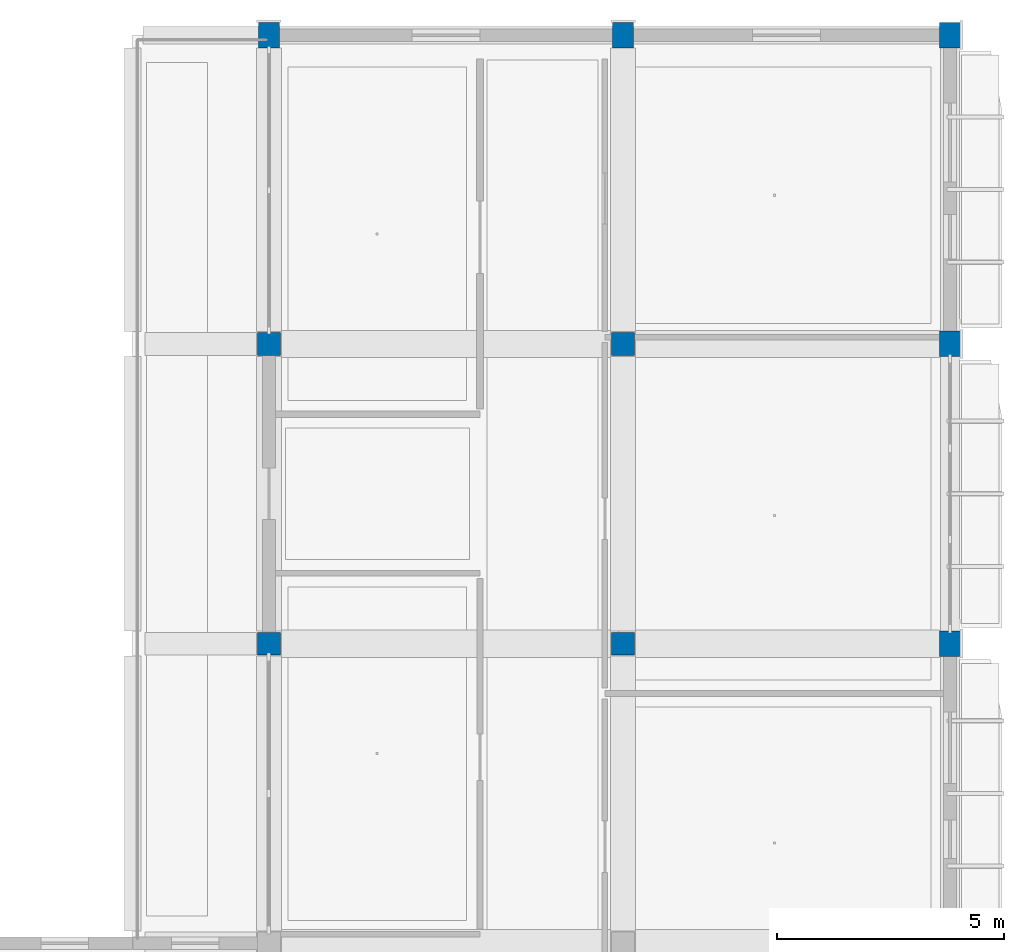
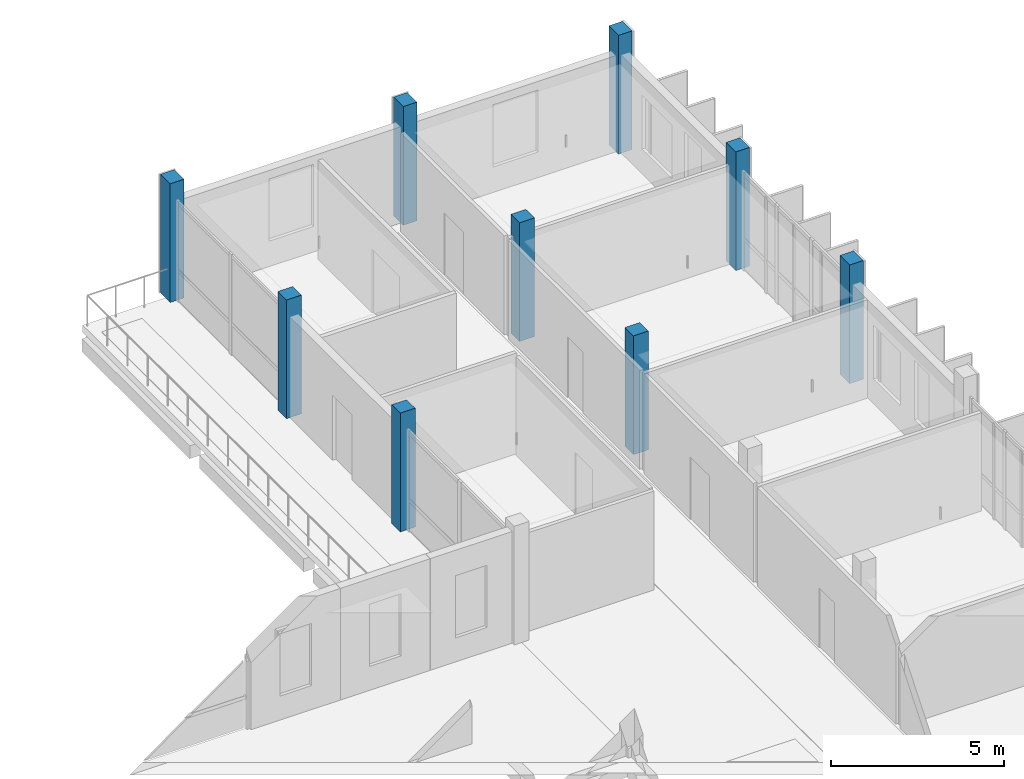
# One storey, part 6 of 85: 9 columns.
"""IFC4 building model written with IfcOpenShell, lengths in metres."""

from ifc_helpers import new_model, si_unit, derived_unit, direction, frame, origin, origin_2d, place, context, subcontext, project, spatial, rectangle, extrude, material, material_profile, profile_set, type_object, element, save


model = new_model("IFC4")

# Units and contexts
model_context = context("Model", 3, precision=1e-05, world=origin(), true_north=direction((0.0, 1.0)))
body_context = subcontext(model_context, "Body", "Model", "MODEL_VIEW")
ifc_project = project(units=[si_unit("LENGTHUNIT", "METRE"), si_unit("AREAUNIT", "SQUARE_METRE"), si_unit("VOLUMEUNIT", "CUBIC_METRE"), si_unit("PLANEANGLEUNIT", "RADIAN"), si_unit("MASSUNIT", "GRAM", prefix="KILO"), derived_unit("THERMALTRANSMITTANCEUNIT", [(si_unit("POWERUNIT", "WATT"), 1), (si_unit("LENGTHUNIT", "METRE"), -2), (si_unit("THERMODYNAMICTEMPERATUREUNIT", "KELVIN"), -1)])], contexts=[model_context])

# Site, building, storey
site_placement = place(None, origin())
site = spatial("IfcSite", under=ifc_project, at=site_placement, CompositionType="ELEMENT")
building_placement = place(site_placement, origin())
building = spatial("IfcBuilding", under=site, at=building_placement, Name="Braskholm Square Health Centre", CompositionType="ELEMENT")
storey_placement = place(building_placement, frame((0.0, 0.0, 9.300048828125)))
storey = spatial("IfcBuildingStorey", under=building, at=storey_placement, Name="L03", CompositionType="ELEMENT", Elevation=9.300048828125)

# Columns
ifc_material_1 = material(Name="Concrete C40/50 (f'c = 40 MPa)", Category="concrete")
ifc_material_profile_1 = material_profile(ifc_material_1, rectangle(XDim=0.5, YDim=0.5, at=origin_2d()), Name="RC-500X500")
ifc_profile_set_1 = profile_set([ifc_material_profile_1], Name="Concrete C40/50 (f'c = 40 MPa)")
column_type_1 = type_object("IfcColumnType", Name="ColInteriorUpper500", PredefinedType="COLUMN", material=ifc_profile_set_1)
for number, where, z_axis, x_axis, name in (
    (1, (148.800048828125, 100.39990234375, 0.0), (0.0, 0.0, 1.0), (1.0, 0.0, 0.0), "Column 20/Q L03"),
    (2, (148.800048828125, 107.0, 0.0), (0.0, 0.0, 1.0), (1.0, 0.0, 0.0), "Column 20/R L03"),
    (3, (156.60009765625, 100.39990234375, 0.0), (0.0, 0.0, 1.0), (1.0, 0.0, 0.0), "Column 21/Q L03"),
    (4, (156.60009765625, 107.0, 0.0), (0.0, 0.0, 1.0), (1.0, 0.0, 0.0), "Column 21/R L03"),
):
    element("IfcColumn", number, at=place(storey_placement, frame(where, z_axis=z_axis, x_axis=x_axis)), inside=storey, type_object=column_type_1, Name=name, PredefinedType="COLUMN", context=body_context, shape_type="SweptSolid", body=[
        extrude(rectangle(XDim=0.5, YDim=0.5, at=origin_2d()), origin(), (0.0, 0.0, 1.0), 4.199951171875),
    ])
ifc_material_2 = material(Name="Precast concrete C40/50 architectural white", Category="concrete")
ifc_material_profile_2 = material_profile(ifc_material_2, rectangle(XDim=0.4599609375, YDim=0.56005859375, at=origin_2d()), Name="RC-460X560")
ifc_profile_set_2 = profile_set([ifc_material_profile_2], Name="Precast concrete C40/50 architectural white")
column_type_2 = type_object("IfcColumnType", Name="ColPrecastFrame460x560", PredefinedType="COLUMN", material=ifc_profile_set_2)
for number, where, z_axis, x_axis, name in (
    (5, (148.800048828125, 113.800048828125, 0.0), (0.0, 0.0, 1.0), (1.0, 0.0, 0.0), "Column 20/S L03"),
    (6, (156.60009765625, 113.800048828125, 0.0), (0.0, 0.0, 1.0), (1.0, 0.0, 0.0), "Column 21/S L03"),
    (7, (163.800048828125, 100.39990234375, 0.0), (0.0, 0.0, 1.0), (1.0, 0.0, 0.0), "Column 22/Q L03"),
    (8, (163.800048828125, 107.0, 0.0), (0.0, 0.0, 1.0), (1.0, 0.0, 0.0), "Column 22/R L03"),
    (9, (163.800048828125, 113.800048828125, 0.0), (0.0, 0.0, 1.0), (1.0, 0.0, 0.0), "Column 22/S L03"),
):
    element("IfcColumn", number, at=place(storey_placement, frame(where, z_axis=z_axis, x_axis=x_axis)), inside=storey, type_object=column_type_2, Name=name, PredefinedType="COLUMN", context=body_context, shape_type="SweptSolid", body=[
        extrude(rectangle(XDim=0.4599609375, YDim=0.56005859375, at=origin_2d()), origin(), (0.0, 0.0, 1.0), 4.199951171875),
    ])

save(model, "model.ifc")
